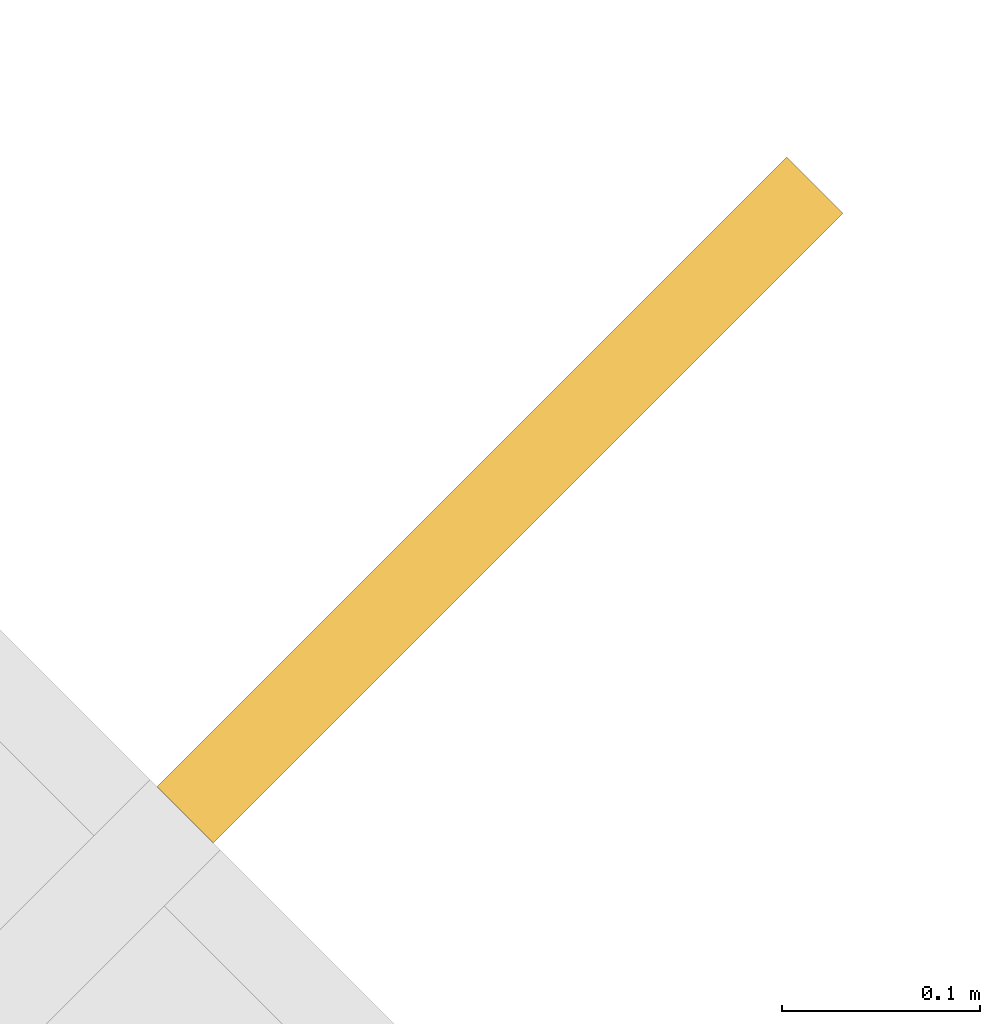
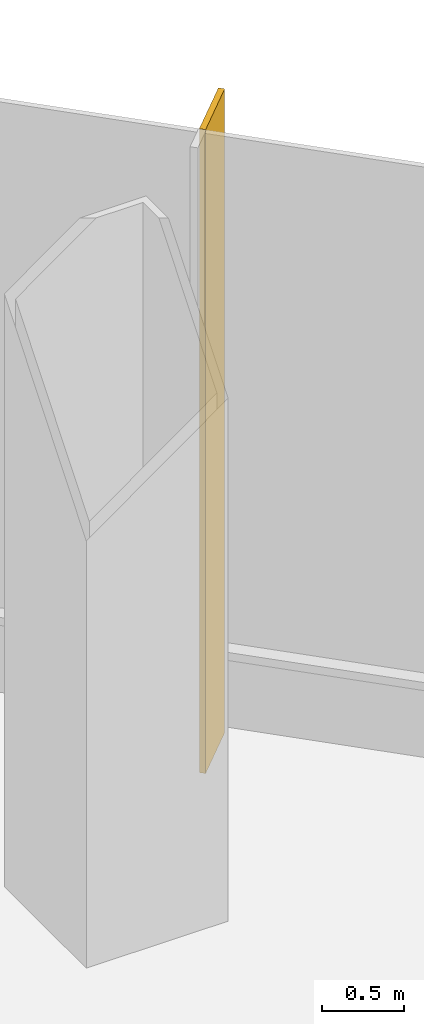
# One storey, part 32 of 33: 1 shading device.
"""IFC4 building model written with IfcOpenShell, lengths in metres."""

from ifc_helpers import new_model, si_unit, direction, frame, origin, origin_2d, place, context, subcontext, project, spatial, rectangle, extrude, material, material_profile, profile_set, type_object, element, save


model = new_model("IFC4")

# Units and contexts
model_context = context("Model", 3, precision=1e-05, world=origin(), true_north=direction((0.0, 1.0)))
body_context = subcontext(model_context, "Body", "Model", "MODEL_VIEW")
ifc_project = project(units=[si_unit("LENGTHUNIT", "METRE"), si_unit("AREAUNIT", "SQUARE_METRE"), si_unit("VOLUMEUNIT", "CUBIC_METRE"), si_unit("PLANEANGLEUNIT", "RADIAN"), si_unit("MASSUNIT", "GRAM", prefix="KILO")], contexts=[model_context])

# Site, building, storey
site_placement = place(None, origin())
site = spatial("IfcSite", under=ifc_project, at=site_placement, CompositionType="ELEMENT")
building_placement = place(site_placement, origin())
building = spatial("IfcBuilding", under=site, at=building_placement, Name="Sorahane Residences", CompositionType="ELEMENT")
storey_placement = place(building_placement, frame((0.0, 0.0, 34.800048828125)))
storey = spatial("IfcBuildingStorey", under=building, at=storey_placement, Name="L05", CompositionType="ELEMENT", Elevation=34.800048828125)

# Shading device
ifc_material = material(Name="Terracotta anodised aluminium", Category="masonry")
ifc_material_profile = material_profile(ifc_material, rectangle(XDim=0.449951171875, YDim=0.0400390625, at=origin_2d()), Name="Podium vertical fin terracotta anodised aluminium 450x40")
ifc_profile_set = profile_set([ifc_material_profile], Name="Terracotta anodised aluminium")
shading_device_type = type_object("IfcShadingDeviceType", Name="Podium vertical fin terracotta anodised aluminium 450x40", PredefinedType="USERDEFINED", material=ifc_profile_set)
shading_device_placement = place(storey_placement, frame((67.597412109375, 49.597412109375, -0.400146484375), z_axis=(0.0, 0.0, 1.0), x_axis=(0.707106781187, 0.707106781187, 0.0)))
element("IfcShadingDevice", 1, at=shading_device_placement, inside=storey, type_object=shading_device_type, Name="Podium vertical fin L05 NE1.1", ObjectType="Vertical fin", PredefinedType="USERDEFINED", context=body_context, shape_type="SweptSolid", body=[
    extrude(rectangle(XDim=0.449951171875, YDim=0.0400390625, at=origin_2d()), origin(), (0.0, 0.0, 1.0), 4.800048828125),
])

save(model, "model.ifc")
